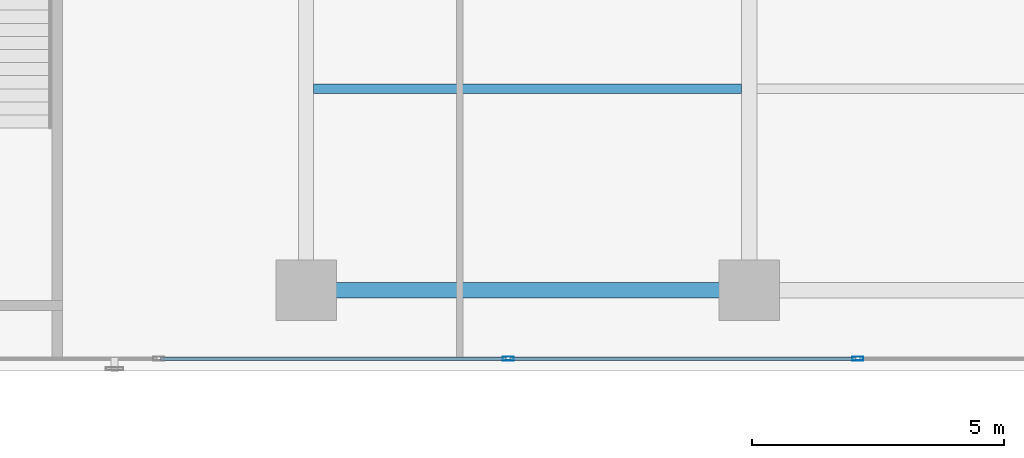
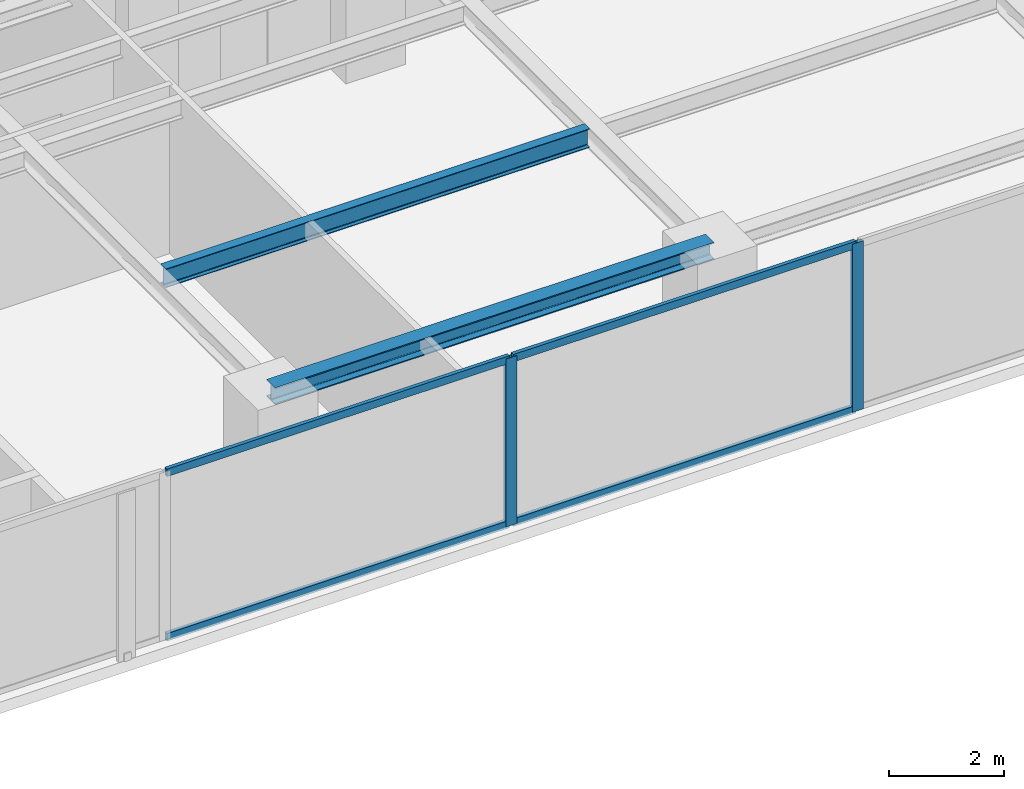
# One storey, part 10 of 24: 6 members, 2 beams, 1 element without a shape of its own.
"""IFC4 building model written with IfcOpenShell, lengths in metres."""

from ifc_helpers import new_model, si_unit, direction, frame, origin, origin_with_axes, origin_2d, place, context, subcontext, project, spatial, hollow_rectangle, i_section, extrude, source, transform, mapped, material, layer, layer_set, material_profile, profile_set, type_object, element, aggregate, save


model = new_model("IFC4")

# Units and contexts
model_context = context("Model", 3, precision=1e-05, world=origin(), true_north=direction((0.0, 1.0)))
body_context = subcontext(model_context, "Body", "Model", "MODEL_VIEW")
ifc_project = project(units=[si_unit("LENGTHUNIT", "METRE"), si_unit("AREAUNIT", "SQUARE_METRE"), si_unit("VOLUMEUNIT", "CUBIC_METRE"), si_unit("PLANEANGLEUNIT", "RADIAN"), si_unit("MASSUNIT", "GRAM", prefix="KILO")], contexts=[model_context])

# Site, building, storey
site_placement = place(None, origin())
site = spatial("IfcSite", under=ifc_project, at=site_placement, CompositionType="ELEMENT")
building_placement = place(site_placement, origin())
building = spatial("IfcBuilding", under=site, at=building_placement, Name="Kolvaren Waterfront Exchange", CompositionType="ELEMENT")
storey_placement = place(building_placement, frame((0.0, 0.0, 153.800048828125)))
storey = spatial("IfcBuildingStorey", under=building, at=storey_placement, Name="L39", CompositionType="ELEMENT", Elevation=153.800048828125)

# Beams
ifc_material_1 = material(Name="Steel S355", Category="steel")
ifc_material_profile_1 = material_profile(ifc_material_1, i_section(OverallWidth=0.300048828125, OverallDepth=0.360107421875, WebThickness=0.012451171875, FlangeThickness=0.0224609375, FilletRadius=0.027099609375, at=origin_2d()), Name="HEB360")
ifc_profile_set_1 = profile_set([ifc_material_profile_1], Name="Steel S355")
beam_type_1 = type_object("IfcBeamType", Name="STR-BM-HEB360", PredefinedType="SPANDREL", material=ifc_profile_set_1)
beam_1_placement = place(storey_placement, frame((36.800048828125, 5.199951171875, 3.3798828125), z_axis=(1.0, 0.0, 0.0), x_axis=(0.0, 1.0, 0.0)))
element("IfcBeam", 1, at=beam_1_placement, inside=storey, type_object=beam_type_1, Name="L39 east-arm spandrel S3", PredefinedType="SPANDREL", context=body_context, shape_type="SweptSolid", body=[
    extrude(i_section(OverallWidth=0.300048828125, OverallDepth=0.360107421875, WebThickness=0.012451171875, FlangeThickness=0.0224609375, FilletRadius=0.027099609375, at=origin_2d()), origin(), (0.0, 0.0, 1.0), 8.800048828125),
])
ifc_material_profile_2 = material_profile(ifc_material_1, i_section(OverallWidth=0.179931640625, OverallDepth=0.39990234375, WebThickness=0.008544921875, FlangeThickness=0.013427734375, FilletRadius=0.02099609375, at=origin_2d()), Name="IPE400")
ifc_profile_set_2 = profile_set([ifc_material_profile_2], Name="Steel S355")
beam_type_2 = type_object("IfcBeamType", Name="STR-BM-IPE400", PredefinedType="JOIST", material=ifc_profile_set_2)
beam_2_placement = place(storey_placement, frame((36.951904296875, 9.199951171875, 3.35986328125), z_axis=(1.0, 0.0, 0.0), x_axis=(0.0, 1.0, 0.0)))
element("IfcBeam", 2, at=beam_2_placement, inside=storey, type_object=beam_type_2, Name="L39 east-arm composite joist 3B", PredefinedType="JOIST", context=body_context, shape_type="SweptSolid", body=[
    extrude(i_section(OverallWidth=0.179931640625, OverallDepth=0.39990234375, WebThickness=0.008544921875, FlangeThickness=0.013427734375, FilletRadius=0.02099609375, at=origin_2d()), origin(), (0.0, 0.0, 1.0), 8.49609375),
])

# Curtain wall, members
ifc_material_2 = material(Name="Anodised bronze aluminium 6063-T6", Category="aluminium")
ifc_layer = layer(ifc_material_2, 0.219970703125, Name="Anodised bronze aluminium 6063-T6")
ifc_layer_set = layer_set([ifc_layer], Name="Anodised bronze aluminium 6063-T6")
curtain_wall_type = type_object("IfcCurtainWallType", Name="ARC-CW-SYS1", PredefinedType="USERDEFINED", material=ifc_layer_set)
curtain_wall_placement = place(storey_placement, origin())
curtain_wall = element("IfcCurtainWall", 3, at=curtain_wall_placement, inside=storey, type_object=curtain_wall_type, Name="L39 stick curtain wall CW1 (CW-L39-S)", ObjectType="STICK CURTAIN WALL", PredefinedType="USERDEFINED")
ifc_material_3 = material(Name="Anodised aluminium 6063-T6", Category="aluminium")
ifc_material_profile_3 = material_profile(ifc_material_3, hollow_rectangle(XDim=0.080078125, YDim=0.219970703125, WallThickness=0.0048828125, at=origin_2d()), Name="ALU-MUL-220x80x5")
ifc_profile_set_3 = profile_set([ifc_material_profile_3], Name="Anodised aluminium 6063-T6")
member_type_1 = type_object("IfcMemberType", Name="ARC-CWM-220", PredefinedType="MULLION", material=ifc_profile_set_3)
shared_shape_1 = source(origin_with_axes(), body_context, "Body", "SweptSolid", [
    extrude(hollow_rectangle(XDim=0.080078125, YDim=0.219970703125, WallThickness=0.0048828125, at=origin_2d()), origin(), (0.0, 0.0, 1.0), 3.56005859375),
])
member_1_placement = place(storey_placement, frame((40.814208984375, 3.840087890625, 0.0), z_axis=(0.0, 0.0, 1.0), x_axis=(0.0, 1.0, 0.0)))
member_1 = element("IfcMember", 4, at=member_1_placement, type_object=member_type_1, Name="CW1 mullion 6", PredefinedType="MULLION", context=body_context, shape_type="MappedRepresentation", body=[
    mapped(shared_shape_1, transform((0.0, 0.0, 0.0), x_axis=(1.0, 0.0, 0.0), y_axis=(0.0, 1.0, 0.0), z_axis=(0.0, 0.0, 1.0), scale=1.0)),
])
member_2_placement = place(storey_placement, frame((47.757080078125, 3.840087890625, 0.0), z_axis=(0.0, 0.0, 1.0), x_axis=(0.0, 1.0, 0.0)))
member_2 = element("IfcMember", 5, at=member_2_placement, type_object=member_type_1, Name="CW1 mullion 7", PredefinedType="MULLION", context=body_context, shape_type="MappedRepresentation", body=[
    mapped(shared_shape_1, transform((0.0, 0.0, 0.0), x_axis=(1.0, 0.0, 0.0), y_axis=(0.0, 1.0, 0.0), z_axis=(0.0, 0.0, 1.0), scale=1.0)),
])
ifc_material_profile_4 = material_profile(ifc_material_3, hollow_rectangle(XDim=0.074951171875, YDim=0.159912109375, WallThickness=0.00439453125, at=origin_2d()), Name="ALU-TRN-160x75x4.5")
ifc_profile_set_4 = profile_set([ifc_material_profile_4], Name="Anodised aluminium 6063-T6")
member_type_2 = type_object("IfcMemberType", Name="ARC-CWT-160", PredefinedType="USERDEFINED", material=ifc_profile_set_4)
shared_shape_2 = source(origin_with_axes(), body_context, "Body", "SweptSolid", [
    extrude(hollow_rectangle(XDim=0.074951171875, YDim=0.159912109375, WallThickness=0.00439453125, at=origin_2d()), origin(), (0.0, 0.0, 1.0), 6.86279296875),
])
member_3_placement = place(storey_placement, frame((33.911376953125, 3.840087890625, 0.037353515625), z_axis=(1.0, 0.0, 0.0), x_axis=(0.0, 1.0, 0.0)))
member_3 = element("IfcMember", 6, at=member_3_placement, type_object=member_type_2, Name="CW1 transom 5.1", ObjectType="TRANSOM", PredefinedType="USERDEFINED", context=body_context, shape_type="MappedRepresentation", body=[
    mapped(shared_shape_2, transform((0.0, 0.0, 0.0), x_axis=(1.0, 0.0, 0.0), y_axis=(0.0, 1.0, 0.0), z_axis=(0.0, 0.0, 1.0), scale=1.0)),
])
member_4_placement = place(storey_placement, frame((33.911376953125, 3.840087890625, 3.5224609375), z_axis=(1.0, 0.0, 0.0), x_axis=(0.0, 1.0, 0.0)))
member_4 = element("IfcMember", 7, at=member_4_placement, type_object=member_type_2, Name="CW1 transom 5.2", ObjectType="TRANSOM", PredefinedType="USERDEFINED", context=body_context, shape_type="MappedRepresentation", body=[
    mapped(shared_shape_2, transform((0.0, 0.0, 0.0), x_axis=(1.0, 0.0, 0.0), y_axis=(0.0, 1.0, 0.0), z_axis=(0.0, 0.0, 1.0), scale=1.0)),
])
member_5_placement = place(storey_placement, frame((40.854248046875, 3.840087890625, 0.037353515625), z_axis=(1.0, 0.0, 0.0), x_axis=(0.0, 1.0, 0.0)))
member_5 = element("IfcMember", 8, at=member_5_placement, type_object=member_type_2, Name="CW1 transom 6.1", ObjectType="TRANSOM", PredefinedType="USERDEFINED", context=body_context, shape_type="MappedRepresentation", body=[
    mapped(shared_shape_2, transform((0.0, 0.0, 0.0), x_axis=(1.0, 0.0, 0.0), y_axis=(0.0, 1.0, 0.0), z_axis=(0.0, 0.0, 1.0), scale=1.0)),
])
member_6_placement = place(storey_placement, frame((40.854248046875, 3.840087890625, 3.5224609375), z_axis=(1.0, 0.0, 0.0), x_axis=(0.0, 1.0, 0.0)))
member_6 = element("IfcMember", 9, at=member_6_placement, type_object=member_type_2, Name="CW1 transom 6.2", ObjectType="TRANSOM", PredefinedType="USERDEFINED", context=body_context, shape_type="MappedRepresentation", body=[
    mapped(shared_shape_2, transform((0.0, 0.0, 0.0), x_axis=(1.0, 0.0, 0.0), y_axis=(0.0, 1.0, 0.0), z_axis=(0.0, 0.0, 1.0), scale=1.0)),
])
aggregate(curtain_wall, [member_1, member_2, member_3, member_4, member_5, member_6])

save(model, "model.ifc")
